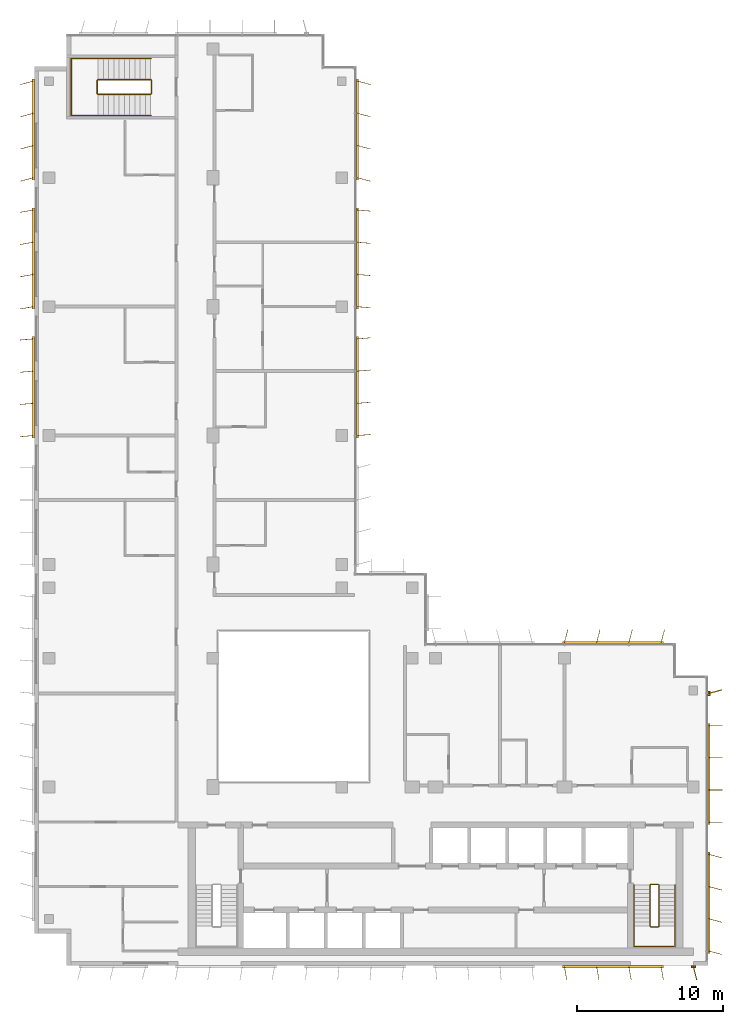
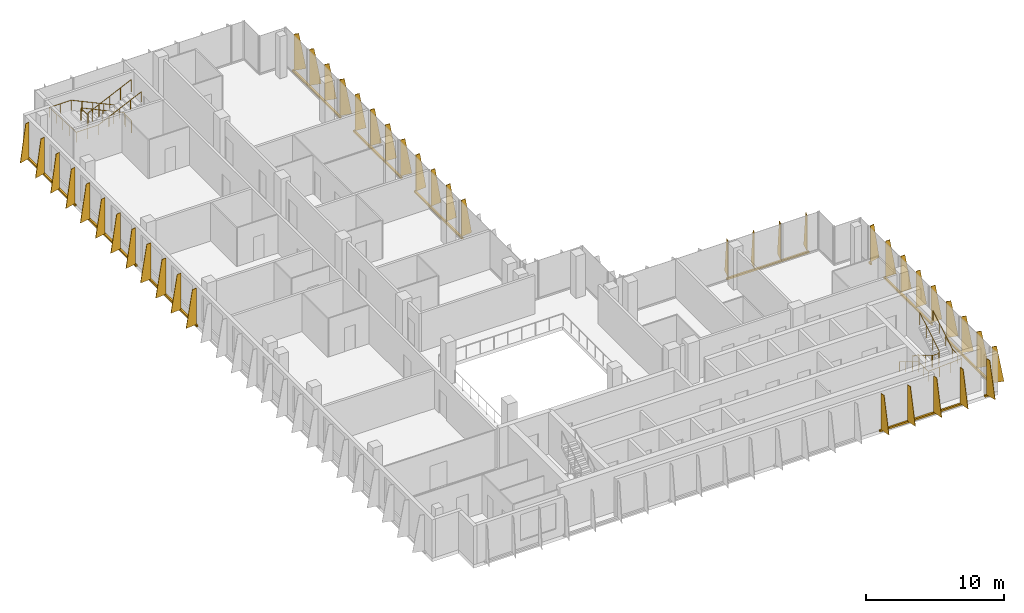
# One storey, part 14 of 15: 12 shading devices, 4 railings.
"""IFC4 building model written with IfcOpenShell, lengths in metres."""

from ifc_helpers import new_model, si_unit, direction, frame, origin, origin_2d, place, context, subcontext, project, spatial, polyline, rectangle, circle, outline, extrude, source, transform, mapped, material, layer, layer_set, type_object, element, save


model = new_model("IFC4")

# Units and contexts
model_context = context("Model", 3, precision=1e-05, world=origin(), true_north=direction((0.0, 1.0)))
body_context = subcontext(model_context, "Body", "Model", "MODEL_VIEW")
ifc_project = project(units=[si_unit("LENGTHUNIT", "METRE"), si_unit("AREAUNIT", "SQUARE_METRE"), si_unit("VOLUMEUNIT", "CUBIC_METRE"), si_unit("PLANEANGLEUNIT", "RADIAN"), si_unit("MASSUNIT", "GRAM", prefix="KILO")], contexts=[model_context])

# Site, building, storey
site_placement = place(None, origin())
site = spatial("IfcSite", under=ifc_project, at=site_placement, CompositionType="ELEMENT")
building_placement = place(site_placement, origin())
building = spatial("IfcBuilding", under=site, at=building_placement, Name="Kemantara Hotel Tower", CompositionType="ELEMENT")
storey_placement = place(building_placement, frame((0.0, 0.0, 261.10009765625)))
storey = spatial("IfcBuildingStorey", under=building, at=storey_placement, Name="L65", CompositionType="ELEMENT", Elevation=261.10009765625)

# Railings
ifc_material_1 = material(Name="Stainless steel balustrade", Category="steel")
railing_type_1 = type_object("IfcRailingType", Name="Stair guard 1100 mm", PredefinedType="GUARDRAIL", material=ifc_material_1)
railing_1_placement = place(storey_placement, frame((42.64990234375, 5.5, 3.699951171875)))
element("IfcRailing", 1, at=railing_1_placement, inside=storey, type_object=railing_type_1, Name="L65 ST2 stair guard 1", PredefinedType="GUARDRAIL", context=body_context, shape_type="SweptSolid", body=[
    extrude(circle(Radius=0.02392578125, at=origin_2d()), frame((0.0, 0.0, 1.076171875), z_axis=(0.0, -0.857242210791, -0.514913383045), x_axis=(1.0, 0.0, 0.0)), (0.0, 0.0, 1.0), 3.266357421875),
    extrude(circle(Radius=0.02392578125, at=origin_2d()), frame((0.0, -2.800048828125, -0.60595703125), z_axis=(-0.273006030465, -0.27434429532, -0.922064485248), x_axis=(0.708833529934, -0.705375805398, 0.0)), (0.0, 0.0, 1.0), 0.182373046875),
    extrude(circle(Radius=0.02392578125, at=origin_2d()), frame((-0.0498046875, -2.85009765625, -0.77392578125), z_axis=(-1.0, 0.0, 0.0), x_axis=(0.0, -1.0, 0.0)), (0.0, 0.0, 1.0), 0.5),
    extrude(circle(Radius=0.02392578125, at=origin_2d()), frame((-0.5498046875, -2.85009765625, -0.77392578125), z_axis=(-0.707106781187, 0.707106781187, 0.0), x_axis=(-0.707106781187, -0.707106781187, 0.0)), (0.0, 0.0, 1.0), 0.07080078125),
    extrude(circle(Radius=0.02392578125, at=origin_2d()), frame((-0.599853515625, -2.800048828125, -0.77392578125), z_axis=(0.0, 0.857242210791, -0.514913383045), x_axis=(-1.0, 0.0, 0.0)), (0.0, 0.0, 1.0), 3.266357421875),
    extrude(circle(Radius=0.02392578125, at=origin_2d()), frame((-0.599853515625, 0.0, -2.4560546875), z_axis=(0.274582412415, 0.274582412415, -0.921525364591), x_axis=(-0.707106781187, 0.707106781187, 0.0)), (0.0, 0.0, 1.0), 0.182373046875),
    extrude(circle(Radius=0.02392578125, at=origin_2d()), frame((-0.5498046875, 0.050048828125, -2.6240234375), z_axis=(1.0, 0.0, 0.0), x_axis=(0.0, 1.0, 0.0)), (0.0, 0.0, 1.0), 0.5),
    extrude(circle(Radius=0.02099609375, at=origin_2d()), origin(), (0.0, 0.0, 1.0), 1.052001953125),
    extrude(circle(Radius=0.02099609375, at=origin_2d()), frame((0.0, -0.933349609375, -0.560546875)), (0.0, 0.0, 1.0), 1.052001953125),
    extrude(circle(Radius=0.02099609375, at=origin_2d()), frame((0.0, -1.86669921875, -1.121337890625)), (0.0, 0.0, 1.0), 1.052001953125),
    extrude(circle(Radius=0.02099609375, at=origin_2d()), frame((0.0, -2.800048828125, -1.681884765625)), (0.0, 0.0, 1.0), 1.052001953125),
    extrude(circle(Radius=0.02099609375, at=origin_2d()), frame((-0.0498046875, -2.85009765625, -1.85009765625)), (0.0, 0.0, 1.0), 1.052001953125),
    extrude(circle(Radius=0.02099609375, at=origin_2d()), frame((-0.5498046875, -2.85009765625, -1.85009765625)), (0.0, 0.0, 1.0), 1.052001953125),
    extrude(circle(Radius=0.02099609375, at=origin_2d()), frame((-0.599853515625, -2.800048828125, -1.85009765625)), (0.0, 0.0, 1.0), 1.052001953125),
    extrude(circle(Radius=0.02099609375, at=origin_2d()), frame((-0.599853515625, -1.86669921875, -2.41064453125)), (0.0, 0.0, 1.0), 1.052001953125),
    extrude(circle(Radius=0.02099609375, at=origin_2d()), frame((-0.599853515625, -0.933349609375, -2.971435546875)), (0.0, 0.0, 1.0), 1.052001953125),
    extrude(circle(Radius=0.02099609375, at=origin_2d()), frame((-0.599853515625, 0.0, -3.531982421875)), (0.0, 0.0, 1.0), 1.052001953125),
    extrude(circle(Radius=0.02099609375, at=origin_2d()), frame((-0.5498046875, 0.050048828125, -3.699951171875)), (0.0, 0.0, 1.0), 1.052001953125),
    extrude(circle(Radius=0.02099609375, at=origin_2d()), frame((-0.0498046875, 0.050048828125, -3.699951171875)), (0.0, 0.0, 1.0), 1.052001953125),
])
railing_2_placement = place(storey_placement, frame((7.949951171875, 59.5, 3.699951171875)))
element("IfcRailing", 2, at=railing_2_placement, inside=storey, type_object=railing_type_1, Name="L65 ST4 stair guard 1", PredefinedType="GUARDRAIL", context=body_context, shape_type="SweptSolid", body=[
    extrude(circle(Radius=0.02392578125, at=origin_2d()), frame((0.0, 0.0, 1.076171875), z_axis=(-0.905994681025, 0.0, -0.423289071386), x_axis=(0.0, -1.0, 0.0)), (0.0, 0.0, 1.0), 3.973388671875),
    extrude(circle(Radius=0.02392578125, at=origin_2d()), frame((-3.599853515625, 0.0, -0.60595703125), z_axis=(-0.274243871929, 0.274243871929, -0.92172696468), x_axis=(-0.707106781187, -0.707106781187, 0.0)), (0.0, 0.0, 1.0), 0.1826171875),
    extrude(circle(Radius=0.02392578125, at=origin_2d()), frame((-3.64990234375, 0.050048828125, -0.77392578125), z_axis=(0.0, 1.0, 0.0), x_axis=(-1.0, 0.0, 0.0)), (0.0, 0.0, 1.0), 0.89990234375),
    extrude(circle(Radius=0.02392578125, at=origin_2d()), frame((-3.64990234375, 0.949951171875, -0.77392578125), z_axis=(0.707106781187, 0.707106781187, 0.0), x_axis=(-0.707106781187, 0.707106781187, 0.0)), (0.0, 0.0, 1.0), 0.07080078125),
    extrude(circle(Radius=0.02392578125, at=origin_2d()), frame((-3.599853515625, 1.0, -0.77392578125), z_axis=(0.905994681025, 0.0, -0.423289071386), x_axis=(0.0, 1.0, 0.0)), (0.0, 0.0, 1.0), 3.973388671875),
    extrude(circle(Radius=0.02392578125, at=origin_2d()), frame((0.0, 1.0, -2.4560546875), z_axis=(0.274582412415, -0.274582412415, -0.921525364591), x_axis=(0.707106781187, 0.707106781187, 0.0)), (0.0, 0.0, 1.0), 0.182373046875),
    extrude(circle(Radius=0.02392578125, at=origin_2d()), frame((0.050048828125, 0.949951171875, -2.6240234375), z_axis=(0.0, -1.0, 0.0), x_axis=(1.0, 0.0, 0.0)), (0.0, 0.0, 1.0), 0.89990234375),
    extrude(circle(Radius=0.02099609375, at=origin_2d()), origin(), (0.0, 0.0, 1.0), 1.052001953125),
    extrude(circle(Radius=0.02099609375, at=origin_2d()), frame((-0.89990234375, 0.0, -0.42041015625)), (0.0, 0.0, 1.0), 1.052001953125),
    extrude(circle(Radius=0.02099609375, at=origin_2d()), frame((-1.7998046875, 0.0, -0.8408203125)), (0.0, 0.0, 1.0), 1.052001953125),
    extrude(circle(Radius=0.02099609375, at=origin_2d()), frame((-2.699951171875, 0.0, -1.261474609375)), (0.0, 0.0, 1.0), 1.052001953125),
    extrude(circle(Radius=0.02099609375, at=origin_2d()), frame((-3.599853515625, 0.0, -1.681884765625)), (0.0, 0.0, 1.0), 1.052001953125),
    extrude(circle(Radius=0.02099609375, at=origin_2d()), frame((-3.64990234375, 0.050048828125, -1.85009765625)), (0.0, 0.0, 1.0), 1.052001953125),
    extrude(circle(Radius=0.02099609375, at=origin_2d()), frame((-3.64990234375, 0.949951171875, -1.85009765625)), (0.0, 0.0, 1.0), 1.052001953125),
    extrude(circle(Radius=0.02099609375, at=origin_2d()), frame((-3.599853515625, 1.0, -1.85009765625)), (0.0, 0.0, 1.0), 1.052001953125),
    extrude(circle(Radius=0.02099609375, at=origin_2d()), frame((-2.699951171875, 1.0, -2.2705078125)), (0.0, 0.0, 1.0), 1.052001953125),
    extrude(circle(Radius=0.02099609375, at=origin_2d()), frame((-1.7998046875, 1.0, -2.69091796875)), (0.0, 0.0, 1.0), 1.052001953125),
    extrude(circle(Radius=0.02099609375, at=origin_2d()), frame((-0.89990234375, 1.0, -3.111572265625)), (0.0, 0.0, 1.0), 1.052001953125),
    extrude(circle(Radius=0.02099609375, at=origin_2d()), frame((0.0, 1.0, -3.531982421875)), (0.0, 0.0, 1.0), 1.052001953125),
    extrude(circle(Radius=0.02099609375, at=origin_2d()), frame((0.050048828125, 0.949951171875, -3.699951171875)), (0.0, 0.0, 1.0), 1.052001953125),
    extrude(circle(Radius=0.02099609375, at=origin_2d()), frame((0.050048828125, 0.050048828125, -3.699951171875)), (0.0, 0.0, 1.0), 1.052001953125),
])
railing_type_2 = type_object("IfcRailingType", Name="Stair handrail 900 mm", PredefinedType="HANDRAIL", material=ifc_material_1)
railing_3_placement = place(storey_placement, frame((40.949951171875, 5.5, 0.16796875)))
element("IfcRailing", 3, at=railing_3_placement, inside=storey, type_object=railing_type_2, Name="L65 ST2 stair handrail 1", PredefinedType="HANDRAIL", context=body_context, shape_type="SweptSolid", body=[
    extrude(circle(Radius=0.02392578125, at=origin_2d()), frame((0.0, 0.0, 0.8759765625), z_axis=(0.0, -0.857242210791, 0.514913383045), x_axis=(1.0, 0.0, 0.0)), (0.0, 0.0, 1.0), 3.266357421875),
    extrude(circle(Radius=0.02392578125, at=origin_2d()), frame((0.0, -2.800048828125, 2.5576171875), z_axis=(0.0, -1.0, 0.0), x_axis=(1.0, 0.0, 0.0)), (0.0, 0.0, 1.0), 1.3798828125),
    extrude(circle(Radius=0.02392578125, at=origin_2d()), frame((0.0, -4.179931640625, 2.5576171875), z_axis=(0.998200367801, 0.0, 0.059966871865), x_axis=(0.0, 1.0, 0.0)), (0.0, 0.0, 1.0), 2.80517578125),
    extrude(circle(Radius=0.02392578125, at=origin_2d()), frame((2.800048828125, -4.179931640625, 2.72607421875), z_axis=(0.0, 1.0, 0.0), x_axis=(-1.0, 0.0, 0.0)), (0.0, 0.0, 1.0), 1.3798828125),
    extrude(circle(Radius=0.02392578125, at=origin_2d()), frame((2.800048828125, -2.800048828125, 2.72607421875), z_axis=(0.0, 0.857242210791, 0.514913383045), x_axis=(-1.0, 0.0, 0.0)), (0.0, 0.0, 1.0), 3.266357421875),
    extrude(circle(Radius=0.02099609375, at=origin_2d()), origin(), (0.0, 0.0, 1.0), 0.851806640625),
    extrude(circle(Radius=0.02099609375, at=origin_2d()), frame((0.0, -0.933349609375, 0.560546875)), (0.0, 0.0, 1.0), 0.851806640625),
    extrude(circle(Radius=0.02099609375, at=origin_2d()), frame((0.0, -1.86669921875, 1.121337890625)), (0.0, 0.0, 1.0), 0.851806640625),
    extrude(circle(Radius=0.02099609375, at=origin_2d()), frame((0.0, -2.800048828125, 1.681884765625)), (0.0, 0.0, 1.0), 0.851806640625),
    extrude(circle(Radius=0.02099609375, at=origin_2d()), frame((0.0, -3.489990234375, 1.681884765625)), (0.0, 0.0, 1.0), 0.851806640625),
    extrude(circle(Radius=0.02099609375, at=origin_2d()), frame((0.0, -4.179931640625, 1.681884765625)), (0.0, 0.0, 1.0), 0.851806640625),
    extrude(circle(Radius=0.02099609375, at=origin_2d()), frame((0.933349609375, -4.179931640625, 1.738037109375)), (0.0, 0.0, 1.0), 0.851806640625),
    extrude(circle(Radius=0.02099609375, at=origin_2d()), frame((1.86669921875, -4.179931640625, 1.7939453125)), (0.0, 0.0, 1.0), 0.851806640625),
    extrude(circle(Radius=0.02099609375, at=origin_2d()), frame((2.800048828125, -4.179931640625, 1.85009765625)), (0.0, 0.0, 1.0), 0.851806640625),
    extrude(circle(Radius=0.02099609375, at=origin_2d()), frame((2.800048828125, -3.489990234375, 1.85009765625)), (0.0, 0.0, 1.0), 0.851806640625),
    extrude(circle(Radius=0.02099609375, at=origin_2d()), frame((2.800048828125, -2.800048828125, 1.85009765625)), (0.0, 0.0, 1.0), 0.851806640625),
    extrude(circle(Radius=0.02099609375, at=origin_2d()), frame((2.800048828125, -1.86669921875, 2.41064453125)), (0.0, 0.0, 1.0), 0.851806640625),
    extrude(circle(Radius=0.02099609375, at=origin_2d()), frame((2.800048828125, -0.933349609375, 2.971435546875)), (0.0, 0.0, 1.0), 0.851806640625),
    extrude(circle(Radius=0.02099609375, at=origin_2d()), frame((2.800048828125, 0.0, 3.531982421875)), (0.0, 0.0, 1.0), 0.851806640625),
])
railing_4_placement = place(storey_placement, frame((7.949951171875, 61.949951171875, 0.16796875)))
element("IfcRailing", 4, at=railing_4_placement, inside=storey, type_object=railing_type_2, Name="L65 ST4 stair handrail 1", PredefinedType="HANDRAIL", context=body_context, shape_type="SweptSolid", body=[
    extrude(circle(Radius=0.02392578125, at=origin_2d()), frame((0.0, 0.0, 0.8759765625), z_axis=(-0.905994681025, 0.0, 0.423289071386), x_axis=(0.0, -1.0, 0.0)), (0.0, 0.0, 1.0), 3.973388671875),
    extrude(circle(Radius=0.02392578125, at=origin_2d()), frame((-3.599853515625, 0.0, 2.5576171875), z_axis=(-1.0, 0.0, 0.0), x_axis=(0.0, -1.0, 0.0)), (0.0, 0.0, 1.0), 1.830078125),
    extrude(circle(Radius=0.02392578125, at=origin_2d()), frame((-5.429931640625, 0.0, 2.5576171875), z_axis=(0.0, -0.999071085748, 0.043092523981), x_axis=(1.0, 0.0, 0.0)), (0.0, 0.0, 1.0), 3.903564453125),
    extrude(circle(Radius=0.02392578125, at=origin_2d()), frame((-5.429931640625, -3.89990234375, 2.72607421875), z_axis=(1.0, 0.0, 0.0), x_axis=(0.0, 1.0, 0.0)), (0.0, 0.0, 1.0), 1.830078125),
    extrude(circle(Radius=0.02392578125, at=origin_2d()), frame((-3.599853515625, -3.89990234375, 2.72607421875), z_axis=(0.905994681025, 0.0, 0.423289071386), x_axis=(0.0, 1.0, 0.0)), (0.0, 0.0, 1.0), 3.973388671875),
    extrude(circle(Radius=0.02099609375, at=origin_2d()), origin(), (0.0, 0.0, 1.0), 0.851806640625),
    extrude(circle(Radius=0.02099609375, at=origin_2d()), frame((-0.89990234375, 0.0, 0.42041015625)), (0.0, 0.0, 1.0), 0.851806640625),
    extrude(circle(Radius=0.02099609375, at=origin_2d()), frame((-1.7998046875, 0.0, 0.8408203125)), (0.0, 0.0, 1.0), 0.851806640625),
    extrude(circle(Radius=0.02099609375, at=origin_2d()), frame((-2.699951171875, 0.0, 1.261474609375)), (0.0, 0.0, 1.0), 0.851806640625),
    extrude(circle(Radius=0.02099609375, at=origin_2d()), frame((-3.599853515625, 0.0, 1.681884765625)), (0.0, 0.0, 1.0), 0.851806640625),
    extrude(circle(Radius=0.02099609375, at=origin_2d()), frame((-4.514892578125, 0.0, 1.681884765625)), (0.0, 0.0, 1.0), 0.851806640625),
    extrude(circle(Radius=0.02099609375, at=origin_2d()), frame((-5.429931640625, 0.0, 1.681884765625)), (0.0, 0.0, 1.0), 0.851806640625),
    extrude(circle(Radius=0.02099609375, at=origin_2d()), frame((-5.429931640625, -0.97509765625, 1.723876953125)), (0.0, 0.0, 1.0), 0.851806640625),
    extrude(circle(Radius=0.02099609375, at=origin_2d()), frame((-5.429931640625, -1.949951171875, 1.76611328125)), (0.0, 0.0, 1.0), 0.851806640625),
    extrude(circle(Radius=0.02099609375, at=origin_2d()), frame((-5.429931640625, -2.9248046875, 1.80810546875)), (0.0, 0.0, 1.0), 0.851806640625),
    extrude(circle(Radius=0.02099609375, at=origin_2d()), frame((-5.429931640625, -3.89990234375, 1.85009765625)), (0.0, 0.0, 1.0), 0.851806640625),
    extrude(circle(Radius=0.02099609375, at=origin_2d()), frame((-4.514892578125, -3.89990234375, 1.85009765625)), (0.0, 0.0, 1.0), 0.851806640625),
    extrude(circle(Radius=0.02099609375, at=origin_2d()), frame((-3.599853515625, -3.89990234375, 1.85009765625)), (0.0, 0.0, 1.0), 0.851806640625),
    extrude(circle(Radius=0.02099609375, at=origin_2d()), frame((-2.699951171875, -3.89990234375, 2.2705078125)), (0.0, 0.0, 1.0), 0.851806640625),
    extrude(circle(Radius=0.02099609375, at=origin_2d()), frame((-1.7998046875, -3.89990234375, 2.69091796875)), (0.0, 0.0, 1.0), 0.851806640625),
    extrude(circle(Radius=0.02099609375, at=origin_2d()), frame((-0.89990234375, -3.89990234375, 3.111572265625)), (0.0, 0.0, 1.0), 0.851806640625),
    extrude(circle(Radius=0.02099609375, at=origin_2d()), frame((0.0, -3.89990234375, 3.531982421875)), (0.0, 0.0, 1.0), 0.851806640625),
])

# Shading devices
ifc_material_2 = material(Name="Perforated aluminium plate 4 mm bronze anodised", Category="aluminium")
ifc_layer_1 = layer(ifc_material_2, 0.0400390625)
ifc_layer_set_1 = layer_set([ifc_layer_1], Name="Perforated aluminium plate 4 mm bronze anodised")
shading_device_type_1 = type_object("IfcShadingDeviceType", Name="SCREEN FIN CASSETTE, 4 BLADES AT -5.0 DEG, 3200 HIGH", PredefinedType="USERDEFINED", material=ifc_layer_set_1)
shared_shape_1 = source(origin(), body_context, "Body", "SweptSolid", [
    extrude(rectangle(XDim=6.89990234375, YDim=0.14990234375, at=origin_2d()), frame((3.300048828125, -0.074951171875, -0.14990234375), z_axis=(0.0, 0.0, 1.0), x_axis=(1.0, 0.0, 0.0)), (0.0, 0.0, 1.0), 0.14990234375),
    extrude(outline(polyline([(0.0, 0.0), (0.89990234375, 0.0), (0.35009765625, 3.199951171875), (0.0, 3.199951171875), (0.0, 0.0)])), frame((0.02001953125, -0.07666015625, 0.0), z_axis=(-0.996376129781, 0.085056498884, 0.0), x_axis=(-0.085056498884, -0.996376129781, 0.0)), (0.0, 0.0, 1.0), 0.040283203125),
    extrude(outline(polyline([(0.0, 0.0), (0.89990234375, 0.0), (0.35009765625, 3.199951171875), (0.0, 3.199951171875), (0.0, 0.0)])), frame((2.219970703125, -0.07666015625, 0.0), z_axis=(-0.996331773833, 0.085574508182, 0.0), x_axis=(-0.085574508182, -0.996331773833, 0.0)), (0.0, 0.0, 1.0), 0.0400390625),
    extrude(outline(polyline([(0.0, 0.0), (0.89990234375, 0.0), (0.35009765625, 3.199951171875), (0.0, 3.199951171875), (0.0, 0.0)])), frame((4.419921875, -0.07666015625, 0.0), z_axis=(-0.996331773833, 0.085574508182, 0.0), x_axis=(-0.085574508182, -0.996331773833, 0.0)), (0.0, 0.0, 1.0), 0.0400390625),
    extrude(outline(polyline([(0.0, 0.0), (0.89990234375, 0.0), (0.35009765625, 3.199951171875), (0.0, 3.199951171875), (0.0, 0.0)])), frame((6.619873046875, -0.07666015625, 0.0), z_axis=(-0.996331773833, 0.085574508182, 0.0), x_axis=(-0.085574508182, -0.996331773833, 0.0)), (0.0, 0.0, 1.0), 0.0400390625),
])
shading_device_1_placement = place(storey_placement, frame((22.0, 45.0, 0.099853515625), z_axis=(0.0, 0.0, 1.0), x_axis=(0.0, 1.0, 0.0)))
element("IfcShadingDevice", 5, at=shading_device_1_placement, inside=storey, type_object=shading_device_type_1, Name="SCREEN FIN CASSETTE L65 T4-R15-3", ObjectType="SCREEN FIN", PredefinedType="USERDEFINED", context=body_context, shape_type="MappedRepresentation", body=[
    mapped(shared_shape_1, transform((0.0, 0.0, 0.0))),
])
ifc_layer_2 = layer(ifc_material_2, 0.0400390625)
ifc_layer_set_2 = layer_set([ifc_layer_2], Name="Perforated aluminium plate 4 mm bronze anodised")
shading_device_type_2 = type_object("IfcShadingDeviceType", Name="SCREEN FIN CASSETTE, 4 BLADES AT +0.0 DEG, 3200 HIGH", PredefinedType="USERDEFINED", material=ifc_layer_set_2)
shared_shape_2 = source(origin(), body_context, "Body", "SweptSolid", [
    extrude(rectangle(XDim=6.89990234375, YDim=0.14990234375, at=origin_2d()), frame((3.300048828125, -0.074951171875, -0.14990234375), z_axis=(0.0, 0.0, 1.0), x_axis=(1.0, 0.0, 0.0)), (0.0, 0.0, 1.0), 0.14990234375),
    extrude(outline(polyline([(0.0, 0.0), (0.89990234375, 0.0), (0.35009765625, 3.199951171875), (0.0, 3.199951171875), (0.0, 0.0)])), frame((0.02001953125, -0.074951171875, 0.0), z_axis=(-1.0, 0.0, 0.0), x_axis=(0.0, -1.0, 0.0)), (0.0, 0.0, 1.0), 0.0400390625),
    extrude(outline(polyline([(0.0, 0.0), (0.89990234375, 0.0), (0.35009765625, 3.199951171875), (0.0, 3.199951171875), (0.0, 0.0)])), frame((2.219970703125, -0.074951171875, 0.0), z_axis=(-1.0, 0.0, 0.0), x_axis=(0.0, -1.0, 0.0)), (0.0, 0.0, 1.0), 0.0400390625),
    extrude(outline(polyline([(0.0, 0.0), (0.89990234375, 0.0), (0.35009765625, 3.199951171875), (0.0, 3.199951171875), (0.0, 0.0)])), frame((4.419921875, -0.074951171875, 0.0), z_axis=(-1.0, 0.0, 0.0), x_axis=(0.0, -1.0, 0.0)), (0.0, 0.0, 1.0), 0.0400390625),
    extrude(outline(polyline([(0.0, 0.0), (0.89990234375, 0.0), (0.35009765625, 3.199951171875), (0.0, 3.199951171875), (0.0, 0.0)])), frame((6.6201171875, -0.074951171875, 0.0), z_axis=(-1.0, 0.0, 0.0), x_axis=(0.0, -1.0, 0.0)), (0.0, 0.0, 1.0), 0.0400390625),
])
shading_device_2_placement = place(storey_placement, frame((46.0, 9.800048828125, 0.099853515625), z_axis=(0.0, 0.0, 1.0), x_axis=(0.0, 1.0, 0.0)))
element("IfcShadingDevice", 6, at=shading_device_2_placement, inside=storey, type_object=shading_device_type_2, Name="SCREEN FIN CASSETTE L65 T4-R09-2", ObjectType="SCREEN FIN", PredefinedType="USERDEFINED", context=body_context, shape_type="MappedRepresentation", body=[
    mapped(shared_shape_2, transform((0.0, 0.0, 0.0))),
])
ifc_layer_3 = layer(ifc_material_2, 0.0400390625)
ifc_layer_set_3 = layer_set([ifc_layer_3], Name="Perforated aluminium plate 4 mm bronze anodised")
shading_device_type_3 = type_object("IfcShadingDeviceType", Name="SCREEN FIN CASSETTE, 4 BLADES AT +5.0 DEG, 3200 HIGH", PredefinedType="USERDEFINED", material=ifc_layer_set_3)
shared_shape_3 = source(origin(), body_context, "Body", "SweptSolid", [
    extrude(rectangle(XDim=6.89990234375, YDim=0.14990234375, at=origin_2d()), frame((3.300048828125, -0.074951171875, -0.14990234375), z_axis=(0.0, 0.0, 1.0), x_axis=(1.0, 0.0, 0.0)), (0.0, 0.0, 1.0), 0.14990234375),
    extrude(outline(polyline([(0.0, 0.0), (0.89990234375, 0.0), (0.35009765625, 3.199951171875), (0.0, 3.199951171875), (0.0, 0.0)])), frame((0.02001953125, -0.0732421875, 0.0), z_axis=(-0.996376129781, -0.085056498884, 0.0), x_axis=(0.085056498884, -0.996376129781, 0.0)), (0.0, 0.0, 1.0), 0.040283203125),
    extrude(outline(polyline([(0.0, 0.0), (0.89990234375, 0.0), (0.35009765625, 3.199951171875), (0.0, 3.199951171875), (0.0, 0.0)])), frame((2.219970703125, -0.0732421875, 0.0), z_axis=(-0.996331773833, -0.085574508182, 0.0), x_axis=(0.085574508182, -0.996331773833, 0.0)), (0.0, 0.0, 1.0), 0.0400390625),
    extrude(outline(polyline([(0.0, 0.0), (0.89990234375, 0.0), (0.35009765625, 3.199951171875), (0.0, 3.199951171875), (0.0, 0.0)])), frame((4.419921875, -0.0732421875, 0.0), z_axis=(-0.996331773833, -0.085574508182, 0.0), x_axis=(0.085574508182, -0.996331773833, 0.0)), (0.0, 0.0, 1.0), 0.0400390625),
    extrude(outline(polyline([(0.0, 0.0), (0.89990234375, 0.0), (0.35009765625, 3.199951171875), (0.0, 3.199951171875), (0.0, 0.0)])), frame((6.619873046875, -0.0732421875, 0.0), z_axis=(-0.996331773833, -0.085574508182, 0.0), x_axis=(0.085574508182, -0.996331773833, 0.0)), (0.0, 0.0, 1.0), 0.0400390625),
])
for number, where, z_axis, x_axis, name in (
    (7, (0.0, 42.800048828125, 0.099853515625), (0.0, 0.0, 1.0), (0.0, -1.0, 0.0), "SCREEN FIN CASSETTE L65 T4-R05-3"),
    (8, (22.0, 36.199951171875, 0.099853515625), (0.0, 0.0, 1.0), (0.0, 1.0, 0.0), "SCREEN FIN CASSETTE L65 T4-R15-2"),
):
    element("IfcShadingDevice", number, at=place(storey_placement, frame(where, z_axis=z_axis, x_axis=x_axis)), inside=storey, type_object=shading_device_type_3, Name=name, ObjectType="SCREEN FIN", PredefinedType="USERDEFINED", context=body_context, shape_type="MappedRepresentation", body=[
        mapped(shared_shape_3, transform((0.0, 0.0, 0.0))),
    ])
ifc_layer_4 = layer(ifc_material_2, 0.0400390625)
ifc_layer_set_4 = layer_set([ifc_layer_4], Name="Perforated aluminium plate 4 mm bronze anodised")
shading_device_type_4 = type_object("IfcShadingDeviceType", Name="SCREEN FIN CASSETTE, 4 BLADES AT +10.0 DEG, 3200 HIGH", PredefinedType="USERDEFINED", material=ifc_layer_set_4)
shared_shape_4 = source(origin(), body_context, "Body", "SweptSolid", [
    extrude(rectangle(XDim=6.89990234375, YDim=0.14990234375, at=origin_2d()), frame((3.300048828125, -0.074951171875, -0.14990234375), z_axis=(0.0, 0.0, 1.0), x_axis=(1.0, 0.0, 0.0)), (0.0, 0.0, 1.0), 0.14990234375),
    extrude(outline(polyline([(0.0, 0.0), (0.89990234375, 0.0), (0.35009765625, 3.199951171875), (0.0, 3.199951171875), (0.0, 0.0)])), frame((0.019775390625, -0.071533203125, 0.0), z_axis=(-0.985389793052, -0.170314285219, 0.0), x_axis=(0.170314285219, -0.985389793052, 0.0)), (0.0, 0.0, 1.0), 0.0400390625),
    extrude(outline(polyline([(0.0, 0.0), (0.89990234375, 0.0), (0.35009765625, 3.199951171875), (0.0, 3.199951171875), (0.0, 0.0)])), frame((2.2197265625, -0.071533203125, 0.0), z_axis=(-0.98521175482, -0.171341174751, 0.0), x_axis=(0.171341174751, -0.98521175482, 0.0)), (0.0, 0.0, 1.0), 0.039794921875),
    extrude(outline(polyline([(0.0, 0.0), (0.89990234375, 0.0), (0.35009765625, 3.199951171875), (0.0, 3.199951171875), (0.0, 0.0)])), frame((4.419677734375, -0.071533203125, 0.0), z_axis=(-0.98521175482, -0.171341174751, 0.0), x_axis=(0.171341174751, -0.98521175482, 0.0)), (0.0, 0.0, 1.0), 0.039794921875),
    extrude(outline(polyline([(0.0, 0.0), (0.89990234375, 0.0), (0.35009765625, 3.199951171875), (0.0, 3.199951171875), (0.0, 0.0)])), frame((6.61962890625, -0.071533203125, 0.0), z_axis=(-0.98521175482, -0.171341174751, 0.0), x_axis=(0.171341174751, -0.98521175482, 0.0)), (0.0, 0.0, 1.0), 0.039794921875),
])
for number, where, z_axis, x_axis, name in (
    (9, (0.0, 51.60009765625, 0.099853515625), (0.0, 0.0, 1.0), (0.0, -1.0, 0.0), "SCREEN FIN CASSETTE L65 T4-R05-2"),
    (10, (36.199951171875, 0.0, 0.099853515625), (0.0, 0.0, 1.0), (1.0, 0.0, 0.0), "SCREEN FIN CASSETTE L65 T4-R08-5"),
):
    element("IfcShadingDevice", number, at=place(storey_placement, frame(where, z_axis=z_axis, x_axis=x_axis)), inside=storey, type_object=shading_device_type_4, Name=name, ObjectType="SCREEN FIN", PredefinedType="USERDEFINED", context=body_context, shape_type="MappedRepresentation", body=[
        mapped(shared_shape_4, transform((0.0, 0.0, 0.0))),
    ])
ifc_layer_5 = layer(ifc_material_2, 0.0400390625)
ifc_layer_set_5 = layer_set([ifc_layer_5], Name="Perforated aluminium plate 4 mm bronze anodised")
shading_device_type_5 = type_object("IfcShadingDeviceType", Name="SCREEN FIN CASSETTE, 4 BLADES AT +15.0 DEG, 3200 HIGH", PredefinedType="USERDEFINED", material=ifc_layer_set_5)
shared_shape_5 = source(origin(), body_context, "Body", "SweptSolid", [
    extrude(rectangle(XDim=6.89990234375, YDim=0.14990234375, at=origin_2d()), frame((3.300048828125, -0.074951171875, -0.14990234375), z_axis=(0.0, 0.0, 1.0), x_axis=(1.0, 0.0, 0.0)), (0.0, 0.0, 1.0), 0.14990234375),
    extrude(outline(polyline([(0.0, 0.0), (0.89990234375, 0.0), (0.35009765625, 3.199951171875), (0.0, 3.199951171875), (0.0, 0.0)])), frame((0.019287109375, -0.06982421875, 0.0), z_axis=(-0.966437683387, -0.256901156343, 0.0), x_axis=(0.256901156343, -0.966437683387, 0.0)), (0.0, 0.0, 1.0), 0.039794921875),
    extrude(outline(polyline([(0.0, 0.0), (0.89990234375, 0.0), (0.35009765625, 3.199951171875), (0.0, 3.199951171875), (0.0, 0.0)])), frame((2.21923828125, -0.06982421875, 0.0), z_axis=(-0.966437683387, -0.256901156343, 0.0), x_axis=(0.256901156343, -0.966437683387, 0.0)), (0.0, 0.0, 1.0), 0.039794921875),
    extrude(outline(polyline([(0.0, 0.0), (0.89990234375, 0.0), (0.35009765625, 3.199951171875), (0.0, 3.199951171875), (0.0, 0.0)])), frame((4.41943359375, -0.06982421875, 0.0), z_axis=(-0.966837822169, -0.255391122837, 0.0), x_axis=(0.255391122837, -0.966837822169, 0.0)), (0.0, 0.0, 1.0), 0.0400390625),
    extrude(outline(polyline([(0.0, 0.0), (0.89990234375, 0.0), (0.35009765625, 3.199951171875), (0.0, 3.199951171875), (0.0, 0.0)])), frame((6.619384765625, -0.06982421875, 0.0), z_axis=(-0.966837822169, -0.255391122837, 0.0), x_axis=(0.255391122837, -0.966837822169, 0.0)), (0.0, 0.0, 1.0), 0.0400390625),
])
shading_device_3_placement = place(storey_placement, frame((0.0, 60.39990234375, 0.099853515625), z_axis=(0.0, 0.0, 1.0), x_axis=(0.0, -1.0, 0.0)))
element("IfcShadingDevice", 11, at=shading_device_3_placement, inside=storey, type_object=shading_device_type_5, Name="SCREEN FIN CASSETTE L65 T4-R05-1", ObjectType="SCREEN FIN", PredefinedType="USERDEFINED", context=body_context, shape_type="MappedRepresentation", body=[
    mapped(shared_shape_5, transform((0.0, 0.0, 0.0))),
])
ifc_layer_6 = layer(ifc_material_2, 0.0400390625)
ifc_layer_set_6 = layer_set([ifc_layer_6], Name="Perforated aluminium plate 4 mm bronze anodised")
shading_device_type_6 = type_object("IfcShadingDeviceType", Name="SCREEN FIN CASSETTE, 4 BLADES AT -15.0 DEG, 3200 HIGH", PredefinedType="USERDEFINED", material=ifc_layer_set_6)
shared_shape_6 = source(origin(), body_context, "Body", "SweptSolid", [
    extrude(rectangle(XDim=6.89990234375, YDim=0.14990234375, at=origin_2d()), frame((3.300048828125, -0.074951171875, -0.14990234375), z_axis=(0.0, 0.0, 1.0), x_axis=(1.0, 0.0, 0.0)), (0.0, 0.0, 1.0), 0.14990234375),
    extrude(outline(polyline([(0.0, 0.0), (0.89990234375, 0.0), (0.35009765625, 3.199951171875), (0.0, 3.199951171875), (0.0, 0.0)])), frame((0.019287109375, -0.080078125, 0.0), z_axis=(-0.966437683387, 0.256901156343, 0.0), x_axis=(-0.256901156343, -0.966437683387, 0.0)), (0.0, 0.0, 1.0), 0.039794921875),
    extrude(outline(polyline([(0.0, 0.0), (0.89990234375, 0.0), (0.35009765625, 3.199951171875), (0.0, 3.199951171875), (0.0, 0.0)])), frame((2.21923828125, -0.080078125, 0.0), z_axis=(-0.966437683387, 0.256901156343, 0.0), x_axis=(-0.256901156343, -0.966437683387, 0.0)), (0.0, 0.0, 1.0), 0.039794921875),
    extrude(outline(polyline([(0.0, 0.0), (0.89990234375, 0.0), (0.35009765625, 3.199951171875), (0.0, 3.199951171875), (0.0, 0.0)])), frame((4.41943359375, -0.080078125, 0.0), z_axis=(-0.966837822169, 0.255391122837, 0.0), x_axis=(-0.255391122837, -0.966837822169, 0.0)), (0.0, 0.0, 1.0), 0.0400390625),
    extrude(outline(polyline([(0.0, 0.0), (0.89990234375, 0.0), (0.35009765625, 3.199951171875), (0.0, 3.199951171875), (0.0, 0.0)])), frame((6.619384765625, -0.080078125, 0.0), z_axis=(-0.966837822169, 0.255391122837, 0.0), x_axis=(-0.255391122837, -0.966837822169, 0.0)), (0.0, 0.0, 1.0), 0.0400390625),
])
for number, where, z_axis, x_axis, name in (
    (12, (46.0, 1.0, 0.099853515625), (0.0, 0.0, 1.0), (0.0, 1.0, 0.0), "SCREEN FIN CASSETTE L65 T4-R09-1"),
    (13, (42.800048828125, 22.0, 0.099853515625), (0.0, 0.0, 1.0), (-1.0, 0.0, 0.0), "SCREEN FIN CASSETTE L65 T4-R12-1"),
    (14, (22.0, 53.800048828125, 0.099853515625), (0.0, 0.0, 1.0), (0.0, 1.0, 0.0), "SCREEN FIN CASSETTE L65 T4-R15-4"),
):
    element("IfcShadingDevice", number, at=place(storey_placement, frame(where, z_axis=z_axis, x_axis=x_axis)), inside=storey, type_object=shading_device_type_6, Name=name, ObjectType="SCREEN FIN", PredefinedType="USERDEFINED", context=body_context, shape_type="MappedRepresentation", body=[
        mapped(shared_shape_6, transform((0.0, 0.0, 0.0))),
    ])
ifc_layer_7 = layer(ifc_material_2, 0.0400390625)
ifc_layer_set_7 = layer_set([ifc_layer_7], Name="Perforated aluminium plate 4 mm bronze anodised")
shading_device_type_7 = type_object("IfcShadingDeviceType", Name="SCREEN FIN CASSETTE, 1 BLADE AT +15.0 DEG, 3200 HIGH", PredefinedType="USERDEFINED", material=ifc_layer_set_7)
shared_shape_7 = source(origin(), body_context, "Body", "SweptSolid", [
    extrude(rectangle(XDim=0.300048828125, YDim=0.14990234375, at=origin_2d()), frame((0.0, -0.074951171875, -0.14990234375), z_axis=(0.0, 0.0, 1.0), x_axis=(1.0, 0.0, 0.0)), (0.0, 0.0, 1.0), 0.14990234375),
    extrude(outline(polyline([(0.0, 0.0), (0.89990234375, 0.0), (0.35009765625, 3.199951171875), (0.0, 3.199951171875), (0.0, 0.0)])), frame((0.019287109375, -0.06982421875, 0.0), z_axis=(-0.966437683387, -0.256901156343, 0.0), x_axis=(0.256901156343, -0.966437683387, 0.0)), (0.0, 0.0, 1.0), 0.039794921875),
])
for number, where, z_axis, x_axis, name in (
    (15, (45.0, 0.0, 0.099853515625), (0.0, 0.0, 1.0), (1.0, 0.0, 0.0), "SCREEN FIN CASSETTE L65 T4-R08-6"),
    (16, (46.0, 18.60009765625, 0.099853515625), (0.0, 0.0, 1.0), (0.0, 1.0, 0.0), "SCREEN FIN CASSETTE L65 T4-R09-3"),
):
    element("IfcShadingDevice", number, at=place(storey_placement, frame(where, z_axis=z_axis, x_axis=x_axis)), inside=storey, type_object=shading_device_type_7, Name=name, ObjectType="SCREEN FIN", PredefinedType="USERDEFINED", context=body_context, shape_type="MappedRepresentation", body=[
        mapped(shared_shape_7, transform((0.0, 0.0, 0.0))),
    ])

save(model, "model.ifc")
